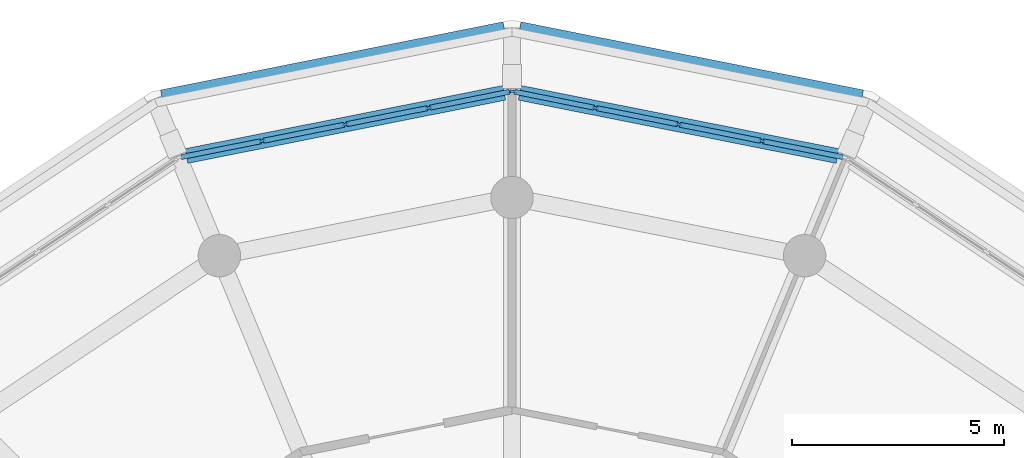
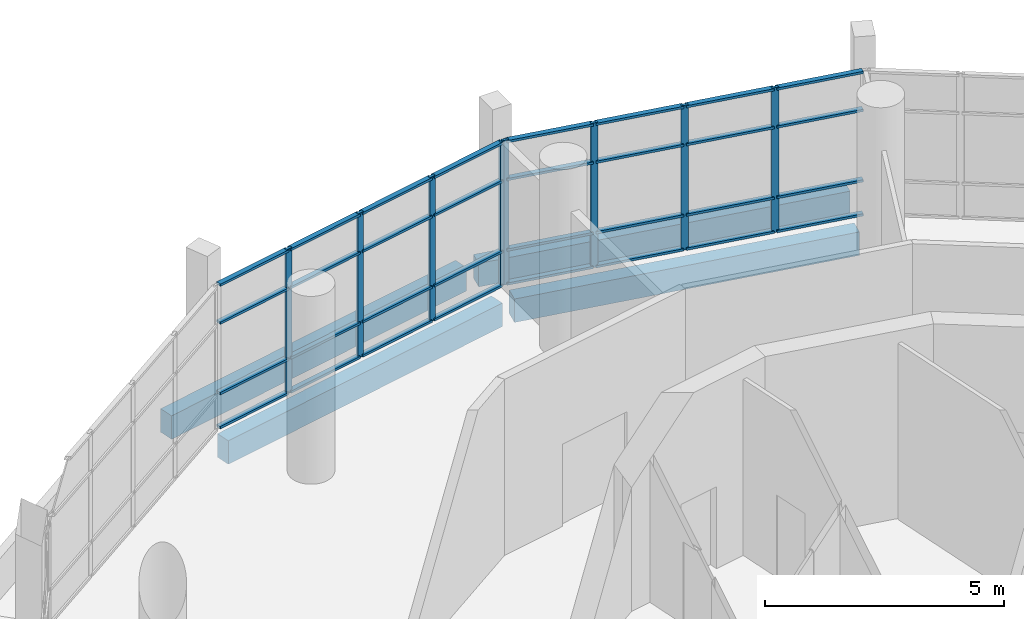
# One storey, part 16 of 40: 40 members, 4 beams, 2 elements without a shape of their own.
"""IFC4 building model written with IfcOpenShell, lengths in metres."""

import ifcopenshell
import ifcopenshell.guid

model = None  # the IFC model being written
_history = None  # IfcOwnerHistory: only IFC2X3 demands one
_inside = {}  # id of a spatial element -> (the spatial element, [elements in it])
_under = {}  # id of a project, library or spatial element -> (it, [spatial elements below it])
_declared = {}  # id of a project -> (the project, [libraries it declares])
_typed = {}  # id of a type object -> (the type object, [elements of that type])
_made_of = {}  # id of a material, layer set ... -> (it, [elements and type objects made of it])


def new_model(schema):
    """Start an empty IFC model of exactly this schema.

    Asked for "IFC4X3", IfcOpenShell would pick the latest addendum, in which some entities
    have other attributes; the version numbers below select the first issue.
    IFC2X3 requires an IfcOwnerHistory on every rooted entity: one is made here for all.
    """
    global model, _history
    if schema == "IFC4X3":
        model = ifcopenshell.file(schema_version=(4, 3, 0, 0))
    else:
        model = ifcopenshell.file(schema=schema)
    _inside.clear()
    _under.clear()
    _declared.clear()
    _typed.clear()
    _made_of.clear()
    _history = None
    if model.schema == "IFC2X3":
        org = make("IfcOrganization", Name="unknown")
        user = make(
            "IfcPersonAndOrganization",
            ThePerson=make("IfcPerson", FamilyName="unknown"),
            TheOrganization=org,
        )
        app = make(
            "IfcApplication",
            ApplicationDeveloper=org,
            Version="unknown",
            ApplicationFullName="unknown",
            ApplicationIdentifier="unknown",
        )
        _history = make(
            "IfcOwnerHistory",
            OwningUser=user,
            OwningApplication=app,
            ChangeAction="ADDED",
            CreationDate=0,
        )
    return model


def make(cls, **values):
    """One entity of the class cls with the attributes given. An attribute that is None is left unset."""
    return model.create_entity(
        cls, **{name: value for name, value in values.items() if value is not None}
    )


def rooted(cls, **values):
    """An entity with a GlobalId (a new one), such as an element, a storey or a relation."""
    return make(cls, GlobalId=ifcopenshell.guid.new(), OwnerHistory=_history, **values)


def si_unit(unit_type, name, prefix=None):
    """IfcSIUnit, for example si_unit("LENGTHUNIT", "METRE", prefix="MILLI")."""
    return make("IfcSIUnit", UnitType=unit_type, Prefix=prefix, Name=name)


def assignment(units):
    """IfcUnitAssignment: the units of a project."""
    return None if units is None else make("IfcUnitAssignment", Units=units)


def point(xyz):
    """IfcCartesianPoint."""
    return None if xyz is None else make("IfcCartesianPoint", Coordinates=xyz)


def direction(xyz):
    """IfcDirection."""
    return None if xyz is None else make("IfcDirection", DirectionRatios=xyz)


def frame(location, z_axis=None, x_axis=None):
    """IfcAxis2Placement3D, a coordinate frame: its origin and axes. An axis left out is left unset."""
    return make(
        "IfcAxis2Placement3D",
        Location=point(location),
        Axis=direction(z_axis),
        RefDirection=direction(x_axis),
    )


def frame_2d(location, x_axis=None):
    """IfcAxis2Placement2D, a coordinate frame in the plane: its origin and x axis."""
    return make(
        "IfcAxis2Placement2D", Location=point(location), RefDirection=direction(x_axis)
    )


def origin():
    """The frame at (0, 0, 0) with its axes left unset."""
    return frame((0.0, 0.0, 0.0))


def origin_2d():
    """The frame at (0, 0) in the plane with its x axis left unset."""
    return frame_2d((0.0, 0.0))


def place(relative_to, where):
    """IfcLocalPlacement: puts the frame where relative to a parent placement (None: the world)."""
    return make(
        "IfcLocalPlacement", PlacementRelTo=relative_to, RelativePlacement=where
    )


def context(
    kind, dimensions, precision=None, world=None, true_north=None, identifier=None
):
    """IfcGeometricRepresentationContext, for example the 3D "Model" context."""
    return make(
        "IfcGeometricRepresentationContext",
        ContextIdentifier=identifier,
        ContextType=kind,
        CoordinateSpaceDimension=dimensions,
        Precision=precision,
        WorldCoordinateSystem=world,
        TrueNorth=true_north,
    )


def subcontext(parent, identifier, kind, view, scale=None):
    """IfcGeometricRepresentationSubContext, for example "Body" below "Model"."""
    return make(
        "IfcGeometricRepresentationSubContext",
        ContextIdentifier=identifier,
        ContextType=kind,
        ParentContext=parent,
        TargetScale=scale,
        TargetView=view,
    )


def project(units=None, contexts=None):
    """IfcProject with its units and contexts."""
    return rooted(
        "IfcProject",
        Name="project",
        RepresentationContexts=contexts,
        UnitsInContext=assignment(units),
    )


def spatial(cls, under=None, at=None, **own):
    """A site, building, storey or space (cls), placed at a placement, below another one or the project."""
    s = rooted(cls, ObjectPlacement=at, **own)
    if under is not None:
        _under.setdefault(under.id(), (under, []))[1].append(s)
    return s


def profile(cls, at=None, kind="AREA", **sizes):
    """A parametric profile (cls). Its sizes go by their IFC names, for example OverallWidth=200.0."""
    return make(cls, ProfileType=kind, Position=at, **sizes)


def rectangle(**sizes):
    """IfcRectangleProfileDef."""
    return profile("IfcRectangleProfileDef", **sizes)


def extrude(swept, where, along, depth):
    """IfcExtrudedAreaSolid: the profile swept, set in the frame where, extruded along a direction by depth."""
    return make(
        "IfcExtrudedAreaSolid",
        SweptArea=swept,
        Position=where,
        ExtrudedDirection=direction(along),
        Depth=depth,
    )


def shape(context_of_items, identifier, shape_type, items):
    """IfcShapeRepresentation: the items that make up one representation, for example the "Body"."""
    return make(
        "IfcShapeRepresentation",
        ContextOfItems=context_of_items,
        RepresentationIdentifier=identifier,
        RepresentationType=shape_type,
        Items=items,
    )


def material(Name=None, Category=None):
    """IfcMaterial."""
    return make("IfcMaterial", Name=Name, Category=Category)


def material_profile(
    of_material, cross_section, Name=None, Category=None, Priority=None
):
    """IfcMaterialProfile: a cross section and its material."""
    return make(
        "IfcMaterialProfile",
        Name=Name,
        Material=of_material,
        Profile=cross_section,
        Priority=Priority,
        Category=Category,
    )


def profile_set(profiles, Name=None, composite=None):
    """IfcMaterialProfileSet."""
    return make(
        "IfcMaterialProfileSet",
        Name=Name,
        MaterialProfiles=profiles,
        CompositeProfile=composite,
    )


def made_of(thing, what):
    """Note that an element or type object is made of a material, layer set ...; save() writes the relation."""
    if what is not None:
        _made_of.setdefault(what.id(), (what, []))[1].append(thing)
    return thing


def type_object(cls, material=None, **own):
    """A type object (cls), such as IfcWallType, which elements share."""
    return made_of(rooted(cls, **own), material)


def element(
    cls,
    number,
    at=None,
    inside=None,
    cuts=None,
    type_object=None,
    material=None,
    context=None,
    identifier="Body",
    shape_type=None,
    held_by="IfcProductDefinitionShape",
    body=None,
    shapes=None,
    **own,
):
    """One element of the class cls, such as IfcWall. Its Tag is "e" and its number.

    at: its placement. inside: the storey or other place that contains it. cuts: it is an
    opening in that element (IfcRelVoidsElement). A single representation is given by context,
    identifier, shape_type and body (its items); several are given by shapes. held_by: the class
    of the entity that holds the representations. save() writes the other relations.
    """
    e = rooted(cls, Tag="e%d" % number, ObjectPlacement=at, **own)
    if body is not None:
        shapes = [shape(context, identifier, shape_type, body)]
    if shapes is not None:
        e.Representation = make(held_by, Representations=shapes)
    if inside is not None:
        _inside.setdefault(inside.id(), (inside, []))[1].append(e)
    if cuts is not None:
        rooted(
            "IfcRelVoidsElement", RelatingBuildingElement=cuts, RelatedOpeningElement=e
        )
    if type_object is not None:
        _typed.setdefault(type_object.id(), (type_object, []))[1].append(e)
    return made_of(e, material)


def aggregate(whole, parts):
    """IfcRelAggregates: a whole, such as a stair, and the parts it consists of."""
    return rooted("IfcRelAggregates", RelatingObject=whole, RelatedObjects=parts)


def save(model, path):
    """Write the relations noted so far, then the file.

    IfcRelAggregates (storeys below a building ...), IfcRelContainedInSpatialStructure (elements
    in a storey), IfcRelDefinesByType, IfcRelAssociatesMaterial and IfcRelDeclares: one each for
    every whole, place, type object, material and project.
    """
    for whole, parts in _under.values():
        aggregate(whole, parts)
    for where, things in _inside.values():
        rooted(
            "IfcRelContainedInSpatialStructure",
            RelatedElements=things,
            RelatingStructure=where,
        )
    for kind, things in _typed.values():
        rooted("IfcRelDefinesByType", RelatedObjects=things, RelatingType=kind)
    for what, things in _made_of.values():
        rooted("IfcRelAssociatesMaterial", RelatedObjects=things, RelatingMaterial=what)
    for by, libraries in _declared.values():
        rooted("IfcRelDeclares", RelatingContext=by, RelatedDefinitions=libraries)
    model.write(path)


model = new_model("IFC4")

# Units and contexts
model_context = context("Model", 3, precision=1e-05, world=origin(), true_north=direction((0.0, 1.0)))
body_context = subcontext(model_context, "Body", "Model", "MODEL_VIEW")
ifc_project = project(units=[si_unit("LENGTHUNIT", "METRE"), si_unit("AREAUNIT", "SQUARE_METRE"), si_unit("VOLUMEUNIT", "CUBIC_METRE"), si_unit("PLANEANGLEUNIT", "RADIAN"), si_unit("MASSUNIT", "GRAM", prefix="KILO")], contexts=[model_context])

# Site, building, storey
site_placement = place(None, origin())
site = spatial("IfcSite", under=ifc_project, at=site_placement, CompositionType="ELEMENT")
building_placement = place(site_placement, origin())
building = spatial("IfcBuilding", under=site, at=building_placement, Name="Ceibo Conservatory and Research Tower", CompositionType="ELEMENT")
storey_placement = place(building_placement, frame((0.0, 0.0, 6.0)))
storey = spatial("IfcBuildingStorey", under=building, at=storey_placement, Name="L01", CompositionType="ELEMENT", Elevation=6.0)

# Curtain wall, members
ifc_material_1 = material(Name="Aluminium and glass", Category="aluminium")
curtain_wall_type = type_object("IfcCurtainWallType", Name="Curtain wall CW1", PredefinedType="NOTDEFINED", material=ifc_material_1)
curtain_wall_1_placement = place(storey_placement, origin())
curtain_wall_1 = element("IfcCurtainWall", 1, at=curtain_wall_1_placement, inside=storey, type_object=curtain_wall_type, Name="CW-01.04", PredefinedType="NOTDEFINED")
ifc_material_2 = material(Name="Aluminium", Category="aluminium")
ifc_material_profile_1 = material_profile(ifc_material_2, rectangle(XDim=0.06005859375, YDim=0.159912109375, at=origin_2d()), Name="Aluminium 60 x 160")
ifc_profile_set_1 = profile_set([ifc_material_profile_1], Name="Aluminium")
member_type_1 = type_object("IfcMemberType", Name="Aluminium mullion 60 x 160", PredefinedType="MULLION", material=ifc_profile_set_1)
member_1_placement = place(storey_placement, frame((53.8837890625, 139.32958984375, 0.0), z_axis=(0.0, 0.0, 1.0), x_axis=(-0.195090380799, -0.980785268711, 0.0)))
member_1 = element("IfcMember", 2, at=member_1_placement, type_object=member_type_1, Name="CW-01.04 mullion 2", PredefinedType="MULLION", context=body_context, shape_type="SweptSolid", body=[
    extrude(rectangle(XDim=0.06005859375, YDim=0.159912109375, at=origin_2d()), origin(), (0.0, 0.0, 1.0), 3.699951171875),
])
member_2_placement = place(storey_placement, frame((51.922607421875, 139.7197265625, 0.0), z_axis=(0.0, 0.0, 1.0), x_axis=(-0.195090380799, -0.980785268711, 0.0)))
member_2 = element("IfcMember", 3, at=member_2_placement, type_object=member_type_1, Name="CW-01.04 mullion 3", PredefinedType="MULLION", context=body_context, shape_type="SweptSolid", body=[
    extrude(rectangle(XDim=0.06005859375, YDim=0.159912109375, at=origin_2d()), origin(), (0.0, 0.0, 1.0), 3.699951171875),
])
member_3_placement = place(storey_placement, frame((49.961181640625, 140.10986328125, 0.0), z_axis=(0.0, 0.0, 1.0), x_axis=(-0.195090380799, -0.980785268711, 0.0)))
member_3 = element("IfcMember", 4, at=member_3_placement, type_object=member_type_1, Name="CW-01.04 mullion 4", PredefinedType="MULLION", context=body_context, shape_type="SweptSolid", body=[
    extrude(rectangle(XDim=0.06005859375, YDim=0.159912109375, at=origin_2d()), origin(), (0.0, 0.0, 1.0), 3.699951171875),
])
member_4_placement = place(storey_placement, frame((48.029541015625, 140.494140625, 0.0), z_axis=(0.0, 0.0, 1.0), x_axis=(-0.195090380799, -0.980785268711, 0.0)))
member_4 = element("IfcMember", 5, at=member_4_placement, type_object=member_type_1, Name="CW-01.04 mullion 5", PredefinedType="MULLION", context=body_context, shape_type="SweptSolid", body=[
    extrude(rectangle(XDim=0.06005859375, YDim=0.159912109375, at=origin_2d()), origin(), (0.0, 0.0, 1.0), 3.699951171875),
])

curtain_wall_2_placement = place(storey_placement, origin())
curtain_wall_2 = element("IfcCurtainWall", 6, at=curtain_wall_2_placement, inside=storey, type_object=curtain_wall_type, Name="CW-01.05", PredefinedType="NOTDEFINED")
member_5_placement = place(storey_placement, frame((47.970458984375, 140.494140625, 0.0), z_axis=(0.0, 0.0, 1.0), x_axis=(0.195090380799, -0.980785268711, 0.0)))
member_5 = element("IfcMember", 7, at=member_5_placement, type_object=member_type_1, Name="CW-01.05 mullion 1", PredefinedType="MULLION", context=body_context, shape_type="SweptSolid", body=[
    extrude(rectangle(XDim=0.06005859375, YDim=0.159912109375, at=origin_2d()), origin(), (0.0, 0.0, 1.0), 3.699951171875),
])
member_6_placement = place(storey_placement, frame((46.038818359375, 140.10986328125, 0.0), z_axis=(0.0, 0.0, 1.0), x_axis=(0.195090380799, -0.980785268711, 0.0)))
member_6 = element("IfcMember", 8, at=member_6_placement, type_object=member_type_1, Name="CW-01.05 mullion 2", PredefinedType="MULLION", context=body_context, shape_type="SweptSolid", body=[
    extrude(rectangle(XDim=0.06005859375, YDim=0.159912109375, at=origin_2d()), origin(), (0.0, 0.0, 1.0), 3.699951171875),
])
member_7_placement = place(storey_placement, frame((44.077392578125, 139.7197265625, 0.0), z_axis=(0.0, 0.0, 1.0), x_axis=(0.195090380799, -0.980785268711, 0.0)))
member_7 = element("IfcMember", 9, at=member_7_placement, type_object=member_type_1, Name="CW-01.05 mullion 3", PredefinedType="MULLION", context=body_context, shape_type="SweptSolid", body=[
    extrude(rectangle(XDim=0.06005859375, YDim=0.159912109375, at=origin_2d()), origin(), (0.0, 0.0, 1.0), 3.699951171875),
])
member_8_placement = place(storey_placement, frame((42.1162109375, 139.32958984375, 0.0), z_axis=(0.0, 0.0, 1.0), x_axis=(0.195090380799, -0.980785268711, 0.0)))
member_8 = element("IfcMember", 10, at=member_8_placement, type_object=member_type_1, Name="CW-01.05 mullion 4", PredefinedType="MULLION", context=body_context, shape_type="SweptSolid", body=[
    extrude(rectangle(XDim=0.06005859375, YDim=0.159912109375, at=origin_2d()), origin(), (0.0, 0.0, 1.0), 3.699951171875),
])

# Member
ifc_material_profile_2 = material_profile(ifc_material_2, rectangle(XDim=0.1201171875, YDim=0.06005859375, at=origin_2d()), Name="Aluminium 60 x 120")
ifc_profile_set_2 = profile_set([ifc_material_profile_2], Name="Aluminium")
member_type_2 = type_object("IfcMemberType", Name="Aluminium transom 60 x 120", PredefinedType="USERDEFINED", material=ifc_profile_set_2)
member_9_placement = place(storey_placement, frame((55.7861328125, 138.951171875, 0.030029296875), z_axis=(-0.980786642434, 0.195083474499, 0.0), x_axis=(-0.195083474499, -0.980786642434, 0.0)))
member_9 = element("IfcMember", 11, at=member_9_placement, type_object=member_type_2, Name="CW-01.04 transom 1.1", ObjectType="TRANSOM", PredefinedType="USERDEFINED", context=body_context, shape_type="SweptSolid", body=[
    extrude(rectangle(XDim=0.1201171875, YDim=0.06005859375, at=origin_2d()), origin(), (0.0, 0.0, 1.0), 1.90966796875),
])

member_10_placement = place(storey_placement, frame((55.7861328125, 138.951171875, 0.89990234375), z_axis=(-0.980786642434, 0.195083474499, 0.0), x_axis=(-0.195083474499, -0.980786642434, 0.0)))
member_10 = element("IfcMember", 12, at=member_10_placement, type_object=member_type_2, Name="CW-01.04 transom 1.2", ObjectType="TRANSOM", PredefinedType="USERDEFINED", context=body_context, shape_type="SweptSolid", body=[
    extrude(rectangle(XDim=0.1201171875, YDim=0.06005859375, at=origin_2d()), origin(), (0.0, 0.0, 1.0), 1.90966796875),
])

member_11_placement = place(storey_placement, frame((55.7861328125, 138.951171875, 2.699951171875), z_axis=(-0.980786642434, 0.195083474499, 0.0), x_axis=(-0.195083474499, -0.980786642434, 0.0)))
member_11 = element("IfcMember", 13, at=member_11_placement, type_object=member_type_2, Name="CW-01.04 transom 1.3", ObjectType="TRANSOM", PredefinedType="USERDEFINED", context=body_context, shape_type="SweptSolid", body=[
    extrude(rectangle(XDim=0.1201171875, YDim=0.06005859375, at=origin_2d()), origin(), (0.0, 0.0, 1.0), 1.90966796875),
])

member_12_placement = place(storey_placement, frame((55.7861328125, 138.951171875, 3.669921875), z_axis=(-0.980786642434, 0.195083474499, 0.0), x_axis=(-0.195083474499, -0.980786642434, 0.0)))
member_12 = element("IfcMember", 14, at=member_12_placement, type_object=member_type_2, Name="CW-01.04 transom 1.4", ObjectType="TRANSOM", PredefinedType="USERDEFINED", context=body_context, shape_type="SweptSolid", body=[
    extrude(rectangle(XDim=0.1201171875, YDim=0.06005859375, at=origin_2d()), origin(), (0.0, 0.0, 1.0), 1.90966796875),
])

member_13_placement = place(storey_placement, frame((53.854248046875, 139.33544921875, 0.030029296875), z_axis=(-0.980783478053, 0.195099382826, 0.0), x_axis=(-0.195099382826, -0.980783478053, 0.0)))
member_13 = element("IfcMember", 15, at=member_13_placement, type_object=member_type_2, Name="CW-01.04 transom 2.1", ObjectType="TRANSOM", PredefinedType="USERDEFINED", context=body_context, shape_type="SweptSolid", body=[
    extrude(rectangle(XDim=0.1201171875, YDim=0.06005859375, at=origin_2d()), origin(), (0.0, 0.0, 1.0), 1.939697265625),
])

member_14_placement = place(storey_placement, frame((53.854248046875, 139.33544921875, 0.89990234375), z_axis=(-0.980783478053, 0.195099382826, 0.0), x_axis=(-0.195099382826, -0.980783478053, 0.0)))
member_14 = element("IfcMember", 16, at=member_14_placement, type_object=member_type_2, Name="CW-01.04 transom 2.2", ObjectType="TRANSOM", PredefinedType="USERDEFINED", context=body_context, shape_type="SweptSolid", body=[
    extrude(rectangle(XDim=0.1201171875, YDim=0.06005859375, at=origin_2d()), origin(), (0.0, 0.0, 1.0), 1.939697265625),
])

member_15_placement = place(storey_placement, frame((53.854248046875, 139.33544921875, 2.699951171875), z_axis=(-0.980783478053, 0.195099382826, 0.0), x_axis=(-0.195099382826, -0.980783478053, 0.0)))
member_15 = element("IfcMember", 17, at=member_15_placement, type_object=member_type_2, Name="CW-01.04 transom 2.3", ObjectType="TRANSOM", PredefinedType="USERDEFINED", context=body_context, shape_type="SweptSolid", body=[
    extrude(rectangle(XDim=0.1201171875, YDim=0.06005859375, at=origin_2d()), origin(), (0.0, 0.0, 1.0), 1.939697265625),
])

member_16_placement = place(storey_placement, frame((53.854248046875, 139.33544921875, 3.669921875), z_axis=(-0.980783478053, 0.195099382826, 0.0), x_axis=(-0.195099382826, -0.980783478053, 0.0)))
member_16 = element("IfcMember", 18, at=member_16_placement, type_object=member_type_2, Name="CW-01.04 transom 2.4", ObjectType="TRANSOM", PredefinedType="USERDEFINED", context=body_context, shape_type="SweptSolid", body=[
    extrude(rectangle(XDim=0.1201171875, YDim=0.06005859375, at=origin_2d()), origin(), (0.0, 0.0, 1.0), 1.939697265625),
])

member_17_placement = place(storey_placement, frame((51.89306640625, 139.7255859375, 0.030029296875), z_axis=(-0.980783478053, 0.195099382826, 0.0), x_axis=(-0.195099382826, -0.980783478053, 0.0)))
member_17 = element("IfcMember", 19, at=member_17_placement, type_object=member_type_2, Name="CW-01.04 transom 3.1", ObjectType="TRANSOM", PredefinedType="USERDEFINED", context=body_context, shape_type="SweptSolid", body=[
    extrude(rectangle(XDim=0.1201171875, YDim=0.06005859375, at=origin_2d()), origin(), (0.0, 0.0, 1.0), 1.939697265625),
])

member_18_placement = place(storey_placement, frame((51.89306640625, 139.7255859375, 0.89990234375), z_axis=(-0.980783478053, 0.195099382826, 0.0), x_axis=(-0.195099382826, -0.980783478053, 0.0)))
member_18 = element("IfcMember", 20, at=member_18_placement, type_object=member_type_2, Name="CW-01.04 transom 3.2", ObjectType="TRANSOM", PredefinedType="USERDEFINED", context=body_context, shape_type="SweptSolid", body=[
    extrude(rectangle(XDim=0.1201171875, YDim=0.06005859375, at=origin_2d()), origin(), (0.0, 0.0, 1.0), 1.939697265625),
])

member_19_placement = place(storey_placement, frame((51.89306640625, 139.7255859375, 2.699951171875), z_axis=(-0.980783478053, 0.195099382826, 0.0), x_axis=(-0.195099382826, -0.980783478053, 0.0)))
member_19 = element("IfcMember", 21, at=member_19_placement, type_object=member_type_2, Name="CW-01.04 transom 3.3", ObjectType="TRANSOM", PredefinedType="USERDEFINED", context=body_context, shape_type="SweptSolid", body=[
    extrude(rectangle(XDim=0.1201171875, YDim=0.06005859375, at=origin_2d()), origin(), (0.0, 0.0, 1.0), 1.939697265625),
])

member_20_placement = place(storey_placement, frame((51.89306640625, 139.7255859375, 3.669921875), z_axis=(-0.980783478053, 0.195099382826, 0.0), x_axis=(-0.195099382826, -0.980783478053, 0.0)))
member_20 = element("IfcMember", 22, at=member_20_placement, type_object=member_type_2, Name="CW-01.04 transom 3.4", ObjectType="TRANSOM", PredefinedType="USERDEFINED", context=body_context, shape_type="SweptSolid", body=[
    extrude(rectangle(XDim=0.1201171875, YDim=0.06005859375, at=origin_2d()), origin(), (0.0, 0.0, 1.0), 1.939697265625),
])

member_21_placement = place(storey_placement, frame((49.931884765625, 140.11572265625, 0.030029296875), z_axis=(-0.980786642434, 0.195083474499, 0.0), x_axis=(-0.195083474499, -0.980786642434, 0.0)))
member_21 = element("IfcMember", 23, at=member_21_placement, type_object=member_type_2, Name="CW-01.04 transom 4.1", ObjectType="TRANSOM", PredefinedType="USERDEFINED", context=body_context, shape_type="SweptSolid", body=[
    extrude(rectangle(XDim=0.1201171875, YDim=0.06005859375, at=origin_2d()), origin(), (0.0, 0.0, 1.0), 1.90966796875),
])

member_22_placement = place(storey_placement, frame((49.931884765625, 140.11572265625, 0.89990234375), z_axis=(-0.980786642434, 0.195083474499, 0.0), x_axis=(-0.195083474499, -0.980786642434, 0.0)))
member_22 = element("IfcMember", 24, at=member_22_placement, type_object=member_type_2, Name="CW-01.04 transom 4.2", ObjectType="TRANSOM", PredefinedType="USERDEFINED", context=body_context, shape_type="SweptSolid", body=[
    extrude(rectangle(XDim=0.1201171875, YDim=0.06005859375, at=origin_2d()), origin(), (0.0, 0.0, 1.0), 1.90966796875),
])

member_23_placement = place(storey_placement, frame((49.931884765625, 140.11572265625, 2.699951171875), z_axis=(-0.980786642434, 0.195083474499, 0.0), x_axis=(-0.195083474499, -0.980786642434, 0.0)))
member_23 = element("IfcMember", 25, at=member_23_placement, type_object=member_type_2, Name="CW-01.04 transom 4.3", ObjectType="TRANSOM", PredefinedType="USERDEFINED", context=body_context, shape_type="SweptSolid", body=[
    extrude(rectangle(XDim=0.1201171875, YDim=0.06005859375, at=origin_2d()), origin(), (0.0, 0.0, 1.0), 1.90966796875),
])

member_24_placement = place(storey_placement, frame((49.931884765625, 140.11572265625, 3.669921875), z_axis=(-0.980786642434, 0.195083474499, 0.0), x_axis=(-0.195083474499, -0.980786642434, 0.0)))
member_24 = element("IfcMember", 26, at=member_24_placement, type_object=member_type_2, Name="CW-01.04 transom 4.4", ObjectType="TRANSOM", PredefinedType="USERDEFINED", context=body_context, shape_type="SweptSolid", body=[
    extrude(rectangle(XDim=0.1201171875, YDim=0.06005859375, at=origin_2d()), origin(), (0.0, 0.0, 1.0), 1.90966796875),
])

aggregate(curtain_wall_1, [member_1, member_2, member_3, member_4, member_9, member_10, member_11, member_12, member_13, member_14, member_15, member_16, member_17, member_18, member_19, member_20, member_21, member_22, member_23, member_24])

member_25_placement = place(storey_placement, frame((47.941162109375, 140.48828125, 0.030029296875), z_axis=(-0.980786642434, -0.195083474499, 0.0), x_axis=(0.195083474499, -0.980786642434, 0.0)))
member_25 = element("IfcMember", 27, at=member_25_placement, type_object=member_type_2, Name="CW-01.05 transom 1.1", ObjectType="TRANSOM", PredefinedType="USERDEFINED", context=body_context, shape_type="SweptSolid", body=[
    extrude(rectangle(XDim=0.1201171875, YDim=0.06005859375, at=origin_2d()), origin(), (0.0, 0.0, 1.0), 1.90966796875),
])

member_26_placement = place(storey_placement, frame((47.941162109375, 140.48828125, 0.89990234375), z_axis=(-0.980786642434, -0.195083474499, 0.0), x_axis=(0.195083474499, -0.980786642434, 0.0)))
member_26 = element("IfcMember", 28, at=member_26_placement, type_object=member_type_2, Name="CW-01.05 transom 1.2", ObjectType="TRANSOM", PredefinedType="USERDEFINED", context=body_context, shape_type="SweptSolid", body=[
    extrude(rectangle(XDim=0.1201171875, YDim=0.06005859375, at=origin_2d()), origin(), (0.0, 0.0, 1.0), 1.90966796875),
])

member_27_placement = place(storey_placement, frame((47.941162109375, 140.48828125, 2.699951171875), z_axis=(-0.980786642434, -0.195083474499, 0.0), x_axis=(0.195083474499, -0.980786642434, 0.0)))
member_27 = element("IfcMember", 29, at=member_27_placement, type_object=member_type_2, Name="CW-01.05 transom 1.3", ObjectType="TRANSOM", PredefinedType="USERDEFINED", context=body_context, shape_type="SweptSolid", body=[
    extrude(rectangle(XDim=0.1201171875, YDim=0.06005859375, at=origin_2d()), origin(), (0.0, 0.0, 1.0), 1.90966796875),
])

member_28_placement = place(storey_placement, frame((47.941162109375, 140.48828125, 3.669921875), z_axis=(-0.980786642434, -0.195083474499, 0.0), x_axis=(0.195083474499, -0.980786642434, 0.0)))
member_28 = element("IfcMember", 30, at=member_28_placement, type_object=member_type_2, Name="CW-01.05 transom 1.4", ObjectType="TRANSOM", PredefinedType="USERDEFINED", context=body_context, shape_type="SweptSolid", body=[
    extrude(rectangle(XDim=0.1201171875, YDim=0.06005859375, at=origin_2d()), origin(), (0.0, 0.0, 1.0), 1.90966796875),
])

member_29_placement = place(storey_placement, frame((46.00927734375, 140.10400390625, 0.030029296875), z_axis=(-0.980783478053, -0.195099382826, 0.0), x_axis=(0.195099382826, -0.980783478053, 0.0)))
member_29 = element("IfcMember", 31, at=member_29_placement, type_object=member_type_2, Name="CW-01.05 transom 2.1", ObjectType="TRANSOM", PredefinedType="USERDEFINED", context=body_context, shape_type="SweptSolid", body=[
    extrude(rectangle(XDim=0.1201171875, YDim=0.06005859375, at=origin_2d()), origin(), (0.0, 0.0, 1.0), 1.939697265625),
])

member_30_placement = place(storey_placement, frame((46.00927734375, 140.10400390625, 0.89990234375), z_axis=(-0.980783478053, -0.195099382826, 0.0), x_axis=(0.195099382826, -0.980783478053, 0.0)))
member_30 = element("IfcMember", 32, at=member_30_placement, type_object=member_type_2, Name="CW-01.05 transom 2.2", ObjectType="TRANSOM", PredefinedType="USERDEFINED", context=body_context, shape_type="SweptSolid", body=[
    extrude(rectangle(XDim=0.1201171875, YDim=0.06005859375, at=origin_2d()), origin(), (0.0, 0.0, 1.0), 1.939697265625),
])

member_31_placement = place(storey_placement, frame((46.00927734375, 140.10400390625, 2.699951171875), z_axis=(-0.980783478053, -0.195099382826, 0.0), x_axis=(0.195099382826, -0.980783478053, 0.0)))
member_31 = element("IfcMember", 33, at=member_31_placement, type_object=member_type_2, Name="CW-01.05 transom 2.3", ObjectType="TRANSOM", PredefinedType="USERDEFINED", context=body_context, shape_type="SweptSolid", body=[
    extrude(rectangle(XDim=0.1201171875, YDim=0.06005859375, at=origin_2d()), origin(), (0.0, 0.0, 1.0), 1.939697265625),
])

member_32_placement = place(storey_placement, frame((46.00927734375, 140.10400390625, 3.669921875), z_axis=(-0.980783478053, -0.195099382826, 0.0), x_axis=(0.195099382826, -0.980783478053, 0.0)))
member_32 = element("IfcMember", 34, at=member_32_placement, type_object=member_type_2, Name="CW-01.05 transom 2.4", ObjectType="TRANSOM", PredefinedType="USERDEFINED", context=body_context, shape_type="SweptSolid", body=[
    extrude(rectangle(XDim=0.1201171875, YDim=0.06005859375, at=origin_2d()), origin(), (0.0, 0.0, 1.0), 1.939697265625),
])

member_33_placement = place(storey_placement, frame((44.048095703125, 139.7138671875, 0.030029296875), z_axis=(-0.980783478053, -0.195099382826, 0.0), x_axis=(0.195099382826, -0.980783478053, 0.0)))
member_33 = element("IfcMember", 35, at=member_33_placement, type_object=member_type_2, Name="CW-01.05 transom 3.1", ObjectType="TRANSOM", PredefinedType="USERDEFINED", context=body_context, shape_type="SweptSolid", body=[
    extrude(rectangle(XDim=0.1201171875, YDim=0.06005859375, at=origin_2d()), origin(), (0.0, 0.0, 1.0), 1.939697265625),
])

member_34_placement = place(storey_placement, frame((44.048095703125, 139.7138671875, 0.89990234375), z_axis=(-0.980783478053, -0.195099382826, 0.0), x_axis=(0.195099382826, -0.980783478053, 0.0)))
member_34 = element("IfcMember", 36, at=member_34_placement, type_object=member_type_2, Name="CW-01.05 transom 3.2", ObjectType="TRANSOM", PredefinedType="USERDEFINED", context=body_context, shape_type="SweptSolid", body=[
    extrude(rectangle(XDim=0.1201171875, YDim=0.06005859375, at=origin_2d()), origin(), (0.0, 0.0, 1.0), 1.939697265625),
])

member_35_placement = place(storey_placement, frame((44.048095703125, 139.7138671875, 2.699951171875), z_axis=(-0.980783478053, -0.195099382826, 0.0), x_axis=(0.195099382826, -0.980783478053, 0.0)))
member_35 = element("IfcMember", 37, at=member_35_placement, type_object=member_type_2, Name="CW-01.05 transom 3.3", ObjectType="TRANSOM", PredefinedType="USERDEFINED", context=body_context, shape_type="SweptSolid", body=[
    extrude(rectangle(XDim=0.1201171875, YDim=0.06005859375, at=origin_2d()), origin(), (0.0, 0.0, 1.0), 1.939697265625),
])

member_36_placement = place(storey_placement, frame((44.048095703125, 139.7138671875, 3.669921875), z_axis=(-0.980783478053, -0.195099382826, 0.0), x_axis=(0.195099382826, -0.980783478053, 0.0)))
member_36 = element("IfcMember", 38, at=member_36_placement, type_object=member_type_2, Name="CW-01.05 transom 3.4", ObjectType="TRANSOM", PredefinedType="USERDEFINED", context=body_context, shape_type="SweptSolid", body=[
    extrude(rectangle(XDim=0.1201171875, YDim=0.06005859375, at=origin_2d()), origin(), (0.0, 0.0, 1.0), 1.939697265625),
])

member_37_placement = place(storey_placement, frame((42.0869140625, 139.32373046875, 0.030029296875), z_axis=(-0.980786642434, -0.195083474499, 0.0), x_axis=(0.195083474499, -0.980786642434, 0.0)))
member_37 = element("IfcMember", 39, at=member_37_placement, type_object=member_type_2, Name="CW-01.05 transom 4.1", ObjectType="TRANSOM", PredefinedType="USERDEFINED", context=body_context, shape_type="SweptSolid", body=[
    extrude(rectangle(XDim=0.1201171875, YDim=0.06005859375, at=origin_2d()), origin(), (0.0, 0.0, 1.0), 1.90966796875),
])

member_38_placement = place(storey_placement, frame((42.0869140625, 139.32373046875, 0.89990234375), z_axis=(-0.980786642434, -0.195083474499, 0.0), x_axis=(0.195083474499, -0.980786642434, 0.0)))
member_38 = element("IfcMember", 40, at=member_38_placement, type_object=member_type_2, Name="CW-01.05 transom 4.2", ObjectType="TRANSOM", PredefinedType="USERDEFINED", context=body_context, shape_type="SweptSolid", body=[
    extrude(rectangle(XDim=0.1201171875, YDim=0.06005859375, at=origin_2d()), origin(), (0.0, 0.0, 1.0), 1.90966796875),
])

member_39_placement = place(storey_placement, frame((42.0869140625, 139.32373046875, 2.699951171875), z_axis=(-0.980786642434, -0.195083474499, 0.0), x_axis=(0.195083474499, -0.980786642434, 0.0)))
member_39 = element("IfcMember", 41, at=member_39_placement, type_object=member_type_2, Name="CW-01.05 transom 4.3", ObjectType="TRANSOM", PredefinedType="USERDEFINED", context=body_context, shape_type="SweptSolid", body=[
    extrude(rectangle(XDim=0.1201171875, YDim=0.06005859375, at=origin_2d()), origin(), (0.0, 0.0, 1.0), 1.90966796875),
])

member_40_placement = place(storey_placement, frame((42.0869140625, 139.32373046875, 3.669921875), z_axis=(-0.980786642434, -0.195083474499, 0.0), x_axis=(0.195083474499, -0.980786642434, 0.0)))
member_40 = element("IfcMember", 42, at=member_40_placement, type_object=member_type_2, Name="CW-01.05 transom 4.4", ObjectType="TRANSOM", PredefinedType="USERDEFINED", context=body_context, shape_type="SweptSolid", body=[
    extrude(rectangle(XDim=0.1201171875, YDim=0.06005859375, at=origin_2d()), origin(), (0.0, 0.0, 1.0), 1.90966796875),
])

aggregate(curtain_wall_2, [member_5, member_6, member_7, member_8, member_25, member_26, member_27, member_28, member_29, member_30, member_31, member_32, member_33, member_34, member_35, member_36, member_37, member_38, member_39, member_40])

# Beams
ifc_material_3 = material(Name="Concrete C35/45", Category="concrete")
ifc_material_profile_3 = material_profile(ifc_material_3, rectangle(XDim=0.35009765625, YDim=0.60009765625, at=origin_2d()), Name="RC 350x600")
ifc_profile_set_3 = profile_set([ifc_material_profile_3], Name="Concrete C35/45")
beam_type = type_object("IfcBeamType", Name="RC beam 350x600 C35", PredefinedType="BEAM", material=ifc_profile_set_3)
for number, where, z_axis, x_axis, name in (
    (43, (55.66455078125, 138.975341796875, -0.60009765625), (-0.980783190489, 0.195100828433, 0.0), (-0.195100828433, -0.980783190489, 0.0), "Edge beam 04 L01"),
    (44, (47.819580078125, 140.464111328125, -0.60009765625), (-0.980783190489, -0.195100828433, 0.0), (0.195100828433, -0.980783190489, 0.0), "Edge beam 05 L01"),
):
    element("IfcBeam", number, at=place(storey_placement, frame(where, z_axis=z_axis, x_axis=x_axis)), inside=storey, type_object=beam_type, Name=name, PredefinedType="BEAM", context=body_context, shape_type="SweptSolid", body=[
        extrude(rectangle(XDim=0.35009765625, YDim=0.60009765625, at=origin_2d()), origin(), (0.0, 0.0, 1.0), 7.630859375),
    ])
for number, where, z_axis, x_axis, name in (
    (45, (56.23876953125, 140.361328125, -0.60009765625), (-0.980788126016, 0.195076015612, 0.0), (-0.195076015612, -0.980788126016, 0.0), "Edge beam 04 L01"),
    (46, (47.819580078125, 141.964111328125, -0.60009765625), (-0.980788126016, -0.195076015612, 0.0), (0.195076015612, -0.980788126016, 0.0), "Edge beam 05 L01"),
):
    element("IfcBeam", number, at=place(storey_placement, frame(where, z_axis=z_axis, x_axis=x_axis)), inside=storey, type_object=beam_type, Name=name, PredefinedType="BEAM", context=body_context, shape_type="SweptSolid", body=[
        extrude(rectangle(XDim=0.35009765625, YDim=0.60009765625, at=origin_2d()), origin(), (0.0, 0.0, 1.0), 8.21630859375),
    ])

save(model, "model.ifc")
